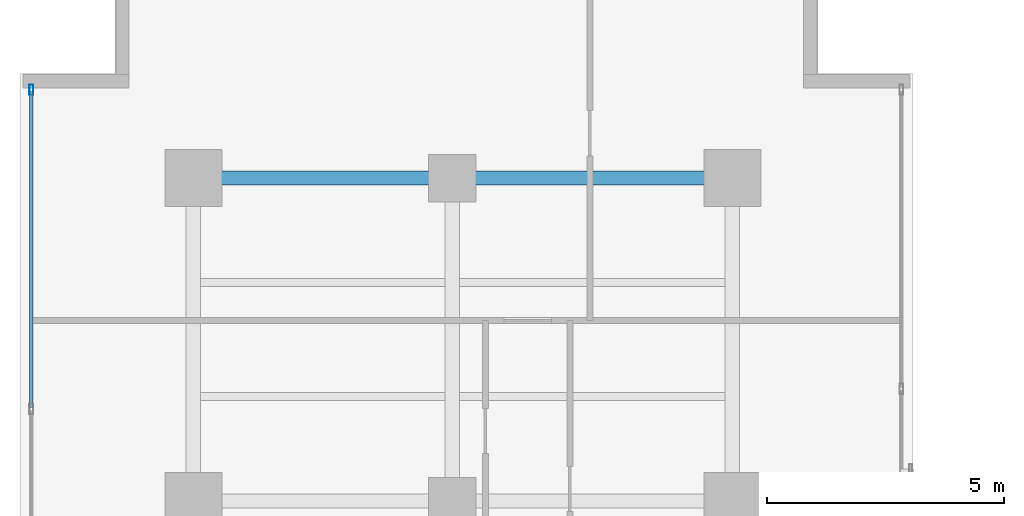
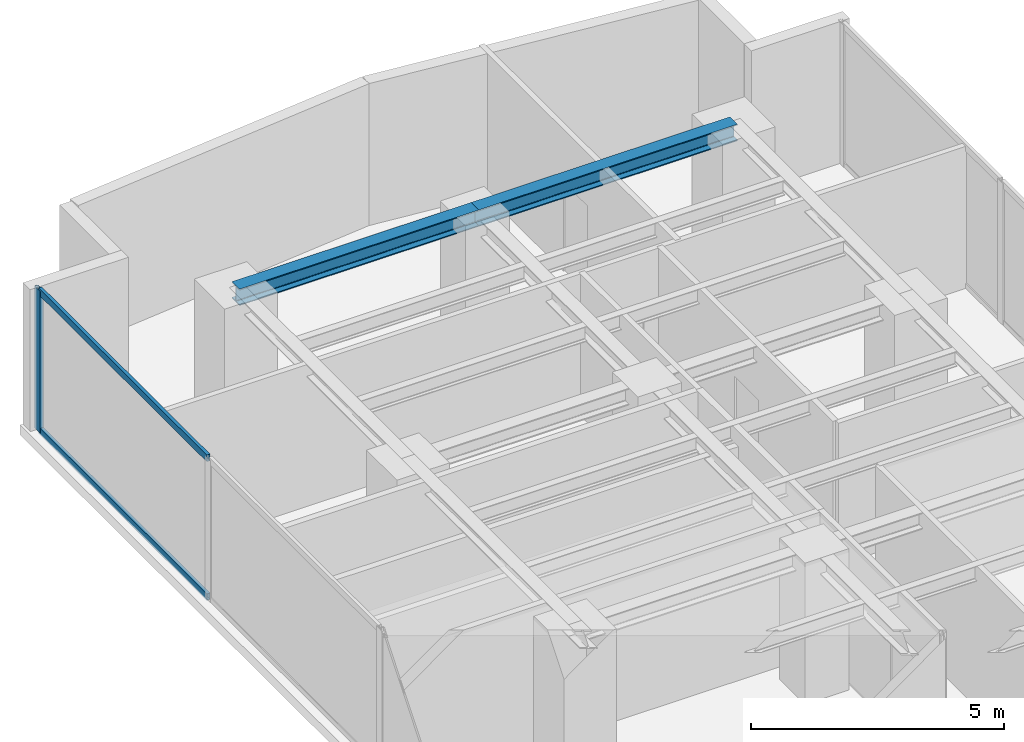
# One storey, part 16 of 26: 3 members, 2 beams, 1 element without a shape of its own.
"""IFC4 building model written with IfcOpenShell, lengths in metres."""

from ifc_helpers import new_model, si_unit, direction, frame, origin, origin_with_axes, origin_2d, place, context, subcontext, project, spatial, hollow_rectangle, i_section, extrude, source, transform, mapped, material, layer, layer_set, material_profile, profile_set, type_object, element, aggregate, save


model = new_model("IFC4")

# Units and contexts
model_context = context("Model", 3, precision=1e-05, world=origin(), true_north=direction((0.0, 1.0)))
body_context = subcontext(model_context, "Body", "Model", "MODEL_VIEW")
ifc_project = project(units=[si_unit("LENGTHUNIT", "METRE"), si_unit("AREAUNIT", "SQUARE_METRE"), si_unit("VOLUMEUNIT", "CUBIC_METRE"), si_unit("PLANEANGLEUNIT", "RADIAN"), si_unit("MASSUNIT", "GRAM", prefix="KILO")], contexts=[model_context])

# Site, building, storey
site_placement = place(None, origin())
site = spatial("IfcSite", under=ifc_project, at=site_placement, CompositionType="ELEMENT")
building_placement = place(site_placement, origin())
building = spatial("IfcBuilding", under=site, at=building_placement, Name="Kolvaren Waterfront Exchange", CompositionType="ELEMENT")
storey_placement = place(building_placement, frame((0.0, 0.0, 195.60009765625)))
storey = spatial("IfcBuildingStorey", under=building, at=storey_placement, Name="L50", CompositionType="ELEMENT", Elevation=195.60009765625)

# Beams
ifc_material_1 = material(Name="Steel S355", Category="steel")
ifc_material_profile_1 = material_profile(ifc_material_1, i_section(OverallWidth=0.300048828125, OverallDepth=0.39990234375, WebThickness=0.013427734375, FlangeThickness=0.02392578125, FilletRadius=0.027099609375, at=origin_2d()), Name="HEB400")
ifc_profile_set_1 = profile_set([ifc_material_profile_1], Name="Steel S355")
beam_type = type_object("IfcBeamType", Name="STR-BM-HEB400", PredefinedType="BEAM", material=ifc_profile_set_1)
beam_1_placement = place(storey_placement, frame((7.449951171875, 44.60009765625, 3.219970703125), z_axis=(1.0, 0.0, 0.0), x_axis=(0.0, 1.0, 0.0)))
element("IfcBeam", 1, at=beam_1_placement, inside=storey, type_object=beam_type, Name="L50 north-arm girder 4A", PredefinedType="BEAM", context=body_context, shape_type="SweptSolid", body=[
    extrude(i_section(OverallWidth=0.300048828125, OverallDepth=0.39990234375, WebThickness=0.013427734375, FlangeThickness=0.02392578125, FilletRadius=0.027099609375, at=origin_2d()), origin(), (0.0, 0.0, 1.0), 5.449951171875),
])
beam_2_placement = place(storey_placement, frame((12.89990234375, 44.60009765625, 3.219970703125), z_axis=(1.0, 0.0, 0.0), x_axis=(0.0, 1.0, 0.0)))
element("IfcBeam", 2, at=beam_2_placement, inside=storey, type_object=beam_type, Name="L50 north-arm girder 4B", PredefinedType="BEAM", context=body_context, shape_type="SweptSolid", body=[
    extrude(i_section(OverallWidth=0.300048828125, OverallDepth=0.39990234375, WebThickness=0.013427734375, FlangeThickness=0.02392578125, FilletRadius=0.027099609375, at=origin_2d()), origin(), (0.0, 0.0, 1.0), 5.900146484375),
])

# Curtain wall, members
ifc_material_2 = material(Name="Anodised aluminium 6063-T6", Category="aluminium")
ifc_layer = layer(ifc_material_2, 0.219970703125, Name="Anodised aluminium 6063-T6")
ifc_layer_set = layer_set([ifc_layer], Name="Anodised aluminium 6063-T6")
curtain_wall_type = type_object("IfcCurtainWallType", Name="ARC-CW-SYS2", PredefinedType="USERDEFINED", material=ifc_layer_set)
curtain_wall_placement = place(storey_placement, origin())
curtain_wall = element("IfcCurtainWall", 3, at=curtain_wall_placement, inside=storey, type_object=curtain_wall_type, Name="L50 stick curtain wall CW2 (CW-L50-W)", ObjectType="STICK CURTAIN WALL", PredefinedType="USERDEFINED")
ifc_material_profile_2 = material_profile(ifc_material_2, hollow_rectangle(XDim=0.080078125, YDim=0.219970703125, WallThickness=0.0048828125, at=origin_2d()), Name="ALU-MUL-220x80x5")
ifc_profile_set_2 = profile_set([ifc_material_profile_2], Name="Anodised aluminium 6063-T6")
member_type_1 = type_object("IfcMemberType", Name="ARC-CWM-220", PredefinedType="MULLION", material=ifc_profile_set_2)
shared_shape_1 = source(origin_with_axes(), body_context, "Body", "SweptSolid", [
    extrude(hollow_rectangle(XDim=0.080078125, YDim=0.219970703125, WallThickness=0.0048828125, at=origin_2d()), origin(), (0.0, 0.0, 1.0), 3.419921875),
])
member_1_placement = place(storey_placement, frame((4.0400390625, 46.4599609375, 0.0), z_axis=(0.0, 0.0, 1.0), x_axis=(-1.0, 0.0, 0.0)))
member_1 = element("IfcMember", 4, at=member_1_placement, type_object=member_type_1, Name="CW2 mullion 7", PredefinedType="MULLION", context=body_context, shape_type="MappedRepresentation", body=[
    mapped(shared_shape_1, transform((0.0, 0.0, 0.0), x_axis=(1.0, 0.0, 0.0), y_axis=(0.0, 1.0, 0.0), z_axis=(0.0, 0.0, 1.0), scale=1.0)),
])
ifc_material_profile_3 = material_profile(ifc_material_2, hollow_rectangle(XDim=0.074951171875, YDim=0.159912109375, WallThickness=0.00439453125, at=origin_2d()), Name="ALU-TRN-160x75x4.5")
ifc_profile_set_3 = profile_set([ifc_material_profile_3], Name="Anodised aluminium 6063-T6")
member_type_2 = type_object("IfcMemberType", Name="ARC-CWT-160", PredefinedType="USERDEFINED", material=ifc_profile_set_3)
shared_shape_2 = source(origin_with_axes(), body_context, "Body", "SweptSolid", [
    extrude(hollow_rectangle(XDim=0.074951171875, YDim=0.159912109375, WallThickness=0.00439453125, at=origin_2d()), origin(), (0.0, 0.0, 1.0), 6.646484375),
])
member_2_placement = place(storey_placement, frame((4.0400390625, 39.7734375, 0.037353515625), z_axis=(0.0, 1.0, 0.0), x_axis=(-1.0, 0.0, 0.0)))
member_2 = element("IfcMember", 5, at=member_2_placement, type_object=member_type_2, Name="CW2 transom 6.1", ObjectType="TRANSOM", PredefinedType="USERDEFINED", context=body_context, shape_type="MappedRepresentation", body=[
    mapped(shared_shape_2, transform((0.0, 0.0, 0.0), x_axis=(1.0, 0.0, 0.0), y_axis=(0.0, 1.0, 0.0), z_axis=(0.0, 0.0, 1.0), scale=1.0)),
])
member_3_placement = place(storey_placement, frame((4.0400390625, 39.7734375, 3.38232421875), z_axis=(0.0, 1.0, 0.0), x_axis=(-1.0, 0.0, 0.0)))
member_3 = element("IfcMember", 6, at=member_3_placement, type_object=member_type_2, Name="CW2 transom 6.2", ObjectType="TRANSOM", PredefinedType="USERDEFINED", context=body_context, shape_type="MappedRepresentation", body=[
    mapped(shared_shape_2, transform((0.0, 0.0, 0.0), x_axis=(1.0, 0.0, 0.0), y_axis=(0.0, 1.0, 0.0), z_axis=(0.0, 0.0, 1.0), scale=1.0)),
])
aggregate(curtain_wall, [member_1, member_2, member_3])

save(model, "model.ifc")
